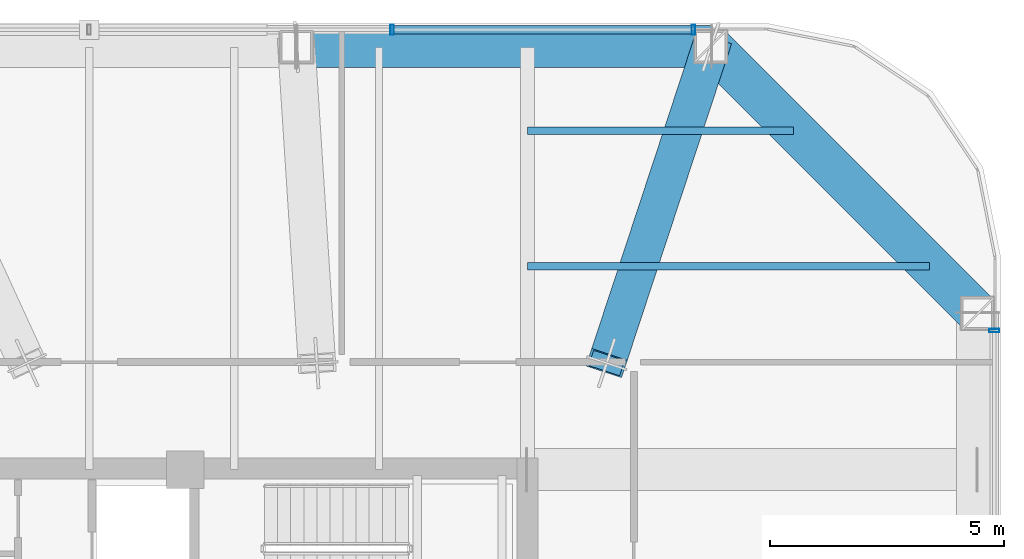
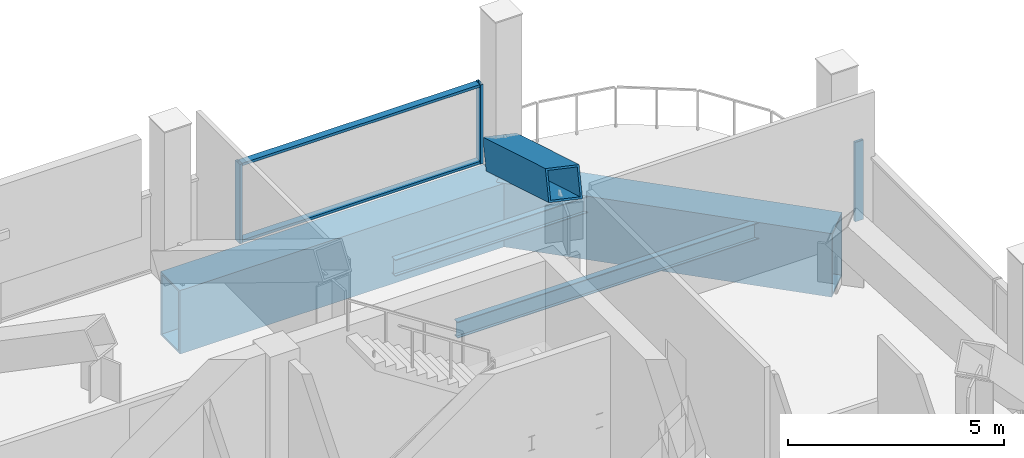
# One storey, part 13 of 19: 6 members, 4 beams, 2 elements without a shape of their own.
"""IFC4 building model written with IfcOpenShell, lengths in metres."""

from ifc_helpers import new_model, si_unit, direction, frame, origin, origin_2d, place, context, subcontext, project, spatial, hollow_rectangle, i_section, extrude, material, layer, layer_set, material_profile, profile_set, type_object, element, aggregate, save


model = new_model("IFC4")

# Units and contexts
model_context = context("Model", 3, precision=1e-05, world=origin(), true_north=direction((0.0, 1.0)))
body_context = subcontext(model_context, "Body", "Model", "MODEL_VIEW")
ifc_project = project(units=[si_unit("LENGTHUNIT", "METRE"), si_unit("AREAUNIT", "SQUARE_METRE"), si_unit("VOLUMEUNIT", "CUBIC_METRE"), si_unit("PLANEANGLEUNIT", "RADIAN"), si_unit("MASSUNIT", "GRAM", prefix="KILO")], contexts=[model_context])

# Site, building, storey
site_placement = place(None, origin())
site = spatial("IfcSite", under=ifc_project, at=site_placement, CompositionType="ELEMENT")
building_placement = place(site_placement, origin())
building = spatial("IfcBuilding", under=site, at=building_placement, Name="Qhalaya Broadcast Tower", CompositionType="ELEMENT")
storey_placement = place(building_placement, frame((0.0, 0.0, 226.949951171875)))
storey = spatial("IfcBuildingStorey", under=building, at=storey_placement, Name="L67", CompositionType="ELEMENT", Elevation=226.949951171875)

# Beams
ifc_material_1 = material(Name="Structural Steel ASTM A572 Grade 50", Category="steel")
ifc_material_profile_1 = material_profile(ifc_material_1, hollow_rectangle(XDim=0.89990234375, YDim=1.800048828125, WallThickness=0.06005859375, at=origin_2d()), Name="BOX 900x1800x60")
ifc_profile_set_1 = profile_set([ifc_material_profile_1], Name="Structural Steel ASTM A572 Grade 50")
beam_type_1 = type_object("IfcBeamType", Name="Block Cantilever Transfer Box Girder TG1", PredefinedType="USERDEFINED", material=ifc_profile_set_1)
beam_1_placement = place(storey_placement, frame((19.0, 13.300048828125, -1.08984375), z_axis=(-0.707106781187, 0.707106781187, 0.0), x_axis=(-0.707106781187, -0.707106781187, 0.0)))
element("IfcBeam", 1, at=beam_1_placement, inside=storey, type_object=beam_type_1, Name="L67 TG1 L67-SPR-08", ObjectType="GIRDER", PredefinedType="USERDEFINED", context=body_context, shape_type="SweptSolid", body=[
    extrude(hollow_rectangle(XDim=0.89990234375, YDim=1.800048828125, WallThickness=0.06005859375, at=origin_2d()), origin(), (0.0, 0.0, 1.0), 8.06103515625),
])
beam_2_placement = place(storey_placement, frame((13.300048828125, 19.0, -1.08984375), z_axis=(-1.0, 0.0, 0.0), x_axis=(0.0, -1.0, 0.0)))
element("IfcBeam", 2, at=beam_2_placement, inside=storey, type_object=beam_type_1, Name="L67 TG1 L67-SPR-09", ObjectType="GIRDER", PredefinedType="USERDEFINED", context=body_context, shape_type="SweptSolid", body=[
    extrude(hollow_rectangle(XDim=0.89990234375, YDim=1.800048828125, WallThickness=0.06005859375, at=origin_2d()), origin(), (0.0, 0.0, 1.0), 8.86669921875),
])
ifc_material_2 = material(Name="Structural Steel ASTM A992 Grade 50", Category="steel")
ifc_material_profile_2 = material_profile(ifc_material_2, i_section(OverallWidth=0.154052734375, OverallDepth=0.458984375, WebThickness=0.009033203125, FlangeThickness=0.015380859375, at=origin_2d()), Name="W18X46")
ifc_profile_set_2 = profile_set([ifc_material_profile_2], Name="Structural Steel ASTM A992 Grade 50")
beam_type_2 = type_object("IfcBeamType", Name="Composite Floor Joist J04", PredefinedType="JOIST", material=ifc_profile_set_2)
beam_3_placement = place(storey_placement, frame((9.375, 14.300048828125, -0.41943359375), z_axis=(1.0, 0.0, 0.0), x_axis=(0.0, 1.0, 0.0)))
element("IfcBeam", 3, at=beam_3_placement, inside=storey, type_object=beam_type_2, Name="L67 J04 L67-JWE6E-1", PredefinedType="JOIST", context=body_context, shape_type="SweptSolid", body=[
    extrude(i_section(OverallWidth=0.154052734375, OverallDepth=0.458984375, WebThickness=0.009033203125, FlangeThickness=0.015380859375, at=origin_2d()), origin(), (0.0, 0.0, 1.0), 8.5966796875),
])
beam_4_placement = place(storey_placement, frame((9.375, 17.199951171875, -0.41943359375), z_axis=(1.0, 0.0, 0.0), x_axis=(0.0, 1.0, 0.0)))
element("IfcBeam", 4, at=beam_4_placement, inside=storey, type_object=beam_type_2, Name="L67 J04 L67-JWE7E-1", PredefinedType="JOIST", context=body_context, shape_type="SweptSolid", body=[
    extrude(i_section(OverallWidth=0.154052734375, OverallDepth=0.458984375, WebThickness=0.009033203125, FlangeThickness=0.015380859375, at=origin_2d()), origin(), (0.0, 0.0, 1.0), 5.69677734375),
])

# Curtain wall, member
ifc_material_3 = material(Name="Fired Architectural Terracotta", Category="masonry")
ifc_layer = layer(ifc_material_3, 0.219970703125, Name="Fired Architectural Terracotta")
ifc_layer_set = layer_set([ifc_layer], Name="Fired Architectural Terracotta")
curtain_wall_type = type_object("IfcCurtainWallType", Name="Block-Cap Unitised Terracotta Spandrel Wall CW-07", PredefinedType="NOTDEFINED", material=ifc_layer_set)
curtain_wall_1_placement = place(storey_placement, origin())
curtain_wall_1 = element("IfcCurtainWall", 5, at=curtain_wall_1_placement, inside=storey, type_object=curtain_wall_type, Name="L67 Unitised Curtain Wall L67-CW-E", PredefinedType="NOTDEFINED")
ifc_material_4 = material(Name="Anodised Aluminium 6063-T6", Category="aluminium")
ifc_material_profile_3 = material_profile(ifc_material_4, hollow_rectangle(XDim=0.074951171875, YDim=0.219970703125, WallThickness=0.00390625, at=origin_2d()), Name="ALU-MUL 75x220x4")
ifc_profile_set_3 = profile_set([ifc_material_profile_3], Name="Anodised Aluminium 6063-T6")
member_type_1 = type_object("IfcMemberType", Name="Unitised Curtain-Wall Mullion M01", PredefinedType="MULLION", material=ifc_profile_set_3)
member_1_placement = place(storey_placement, frame((19.360107421875, 12.924560546875, 0.0), z_axis=(0.0, 0.0, 1.0), x_axis=(0.0, -1.0, 0.0)))
member_1 = element("IfcMember", 6, at=member_1_placement, type_object=member_type_1, Name="CW-07 mullion 1", PredefinedType="MULLION", context=body_context, shape_type="SweptSolid", body=[
    extrude(hollow_rectangle(XDim=0.074951171875, YDim=0.219970703125, WallThickness=0.00390625, at=origin_2d()), origin(), (0.0, 0.0, 1.0), 2.25),
])
aggregate(curtain_wall_1, [member_1])

# Curtain wall, members
curtain_wall_2_placement = place(storey_placement, origin())
curtain_wall_2 = element("IfcCurtainWall", 7, at=curtain_wall_2_placement, inside=storey, type_object=curtain_wall_type, Name="L67 Unitised Curtain Wall L67-CW-N", PredefinedType="NOTDEFINED")
member_2_placement = place(storey_placement, frame((6.48095703125, 19.360107421875, 0.0), z_axis=(0.0, 0.0, 1.0), x_axis=(1.0, 0.0, 0.0)))
member_2 = element("IfcMember", 8, at=member_2_placement, type_object=member_type_1, Name="CW-07 mullion 4", PredefinedType="MULLION", context=body_context, shape_type="SweptSolid", body=[
    extrude(hollow_rectangle(XDim=0.074951171875, YDim=0.219970703125, WallThickness=0.00390625, at=origin_2d()), origin(), (0.0, 0.0, 1.0), 2.25),
])
member_3_placement = place(storey_placement, frame((12.924560546875, 19.360107421875, 0.0), z_axis=(0.0, 0.0, 1.0), x_axis=(1.0, 0.0, 0.0)))
member_3 = element("IfcMember", 9, at=member_3_placement, type_object=member_type_1, Name="CW-07 mullion 5", PredefinedType="MULLION", context=body_context, shape_type="SweptSolid", body=[
    extrude(hollow_rectangle(XDim=0.074951171875, YDim=0.219970703125, WallThickness=0.00390625, at=origin_2d()), origin(), (0.0, 0.0, 1.0), 2.25),
])
ifc_material_profile_4 = material_profile(ifc_material_4, hollow_rectangle(XDim=0.074951171875, YDim=0.179931640625, WallThickness=0.00390625, at=origin_2d()), Name="ALU-TRN 75x180x4")
ifc_profile_set_4 = profile_set([ifc_material_profile_4], Name="Anodised Aluminium 6063-T6")
member_type_2 = type_object("IfcMemberType", Name="Unitised Curtain-Wall Transom T01", PredefinedType="USERDEFINED", material=ifc_profile_set_4)
member_4_placement = place(storey_placement, frame((6.5185546875, 19.360107421875, 0.03759765625), z_axis=(1.0, 0.0, 0.0), x_axis=(0.0, 0.0, 1.0)))
member_4 = element("IfcMember", 10, at=member_4_placement, type_object=member_type_2, Name="CW-07 transom 4.1", ObjectType="TRANSOM", PredefinedType="USERDEFINED", context=body_context, shape_type="SweptSolid", body=[
    extrude(hollow_rectangle(XDim=0.074951171875, YDim=0.179931640625, WallThickness=0.00390625, at=origin_2d()), origin(), (0.0, 0.0, 1.0), 6.368408203125),
])
member_5_placement = place(storey_placement, frame((6.5185546875, 19.360107421875, 2.212646484375), z_axis=(1.0, 0.0, 0.0), x_axis=(0.0, 0.0, 1.0)))
member_5 = element("IfcMember", 11, at=member_5_placement, type_object=member_type_2, Name="CW-07 transom 4.2", ObjectType="TRANSOM", PredefinedType="USERDEFINED", context=body_context, shape_type="SweptSolid", body=[
    extrude(hollow_rectangle(XDim=0.074951171875, YDim=0.179931640625, WallThickness=0.00390625, at=origin_2d()), origin(), (0.0, 0.0, 1.0), 6.368408203125),
])
aggregate(curtain_wall_2, [member_2, member_3, member_4, member_5])

# Member
ifc_material_profile_5 = material_profile(ifc_material_1, hollow_rectangle(XDim=0.800048828125, YDim=0.800048828125, WallThickness=0.050048828125, at=origin_2d()), Name="BOX 800x800x50")
ifc_profile_set_5 = profile_set([ifc_material_profile_5], Name="Structural Steel ASTM A572 Grade 50")
member_type_3 = type_object("IfcMemberType", Name="Upper Exoskeleton Transfer Strut RK2", PredefinedType="BRACE", material=ifc_profile_set_5)
member_6_placement = place(storey_placement, frame((13.300048828125, 19.0, 0.359130859375), z_axis=(-0.272978317915, -0.828737547161, 0.488545715234), x_axis=(0.949800768194, -0.312855399087, 0.0)))
element("IfcMember", 12, at=member_6_placement, inside=storey, type_object=member_type_3, Name="L67 Inclined Exoskeleton Transfer Strut 09", PredefinedType="BRACE", context=body_context, shape_type="SweptSolid", body=[
    extrude(hollow_rectangle(XDim=0.800048828125, YDim=0.800048828125, WallThickness=0.050048828125, at=origin_2d()), origin(), (0.0, 0.0, 1.0), 8.169189453125),
])

save(model, "model.ifc")
